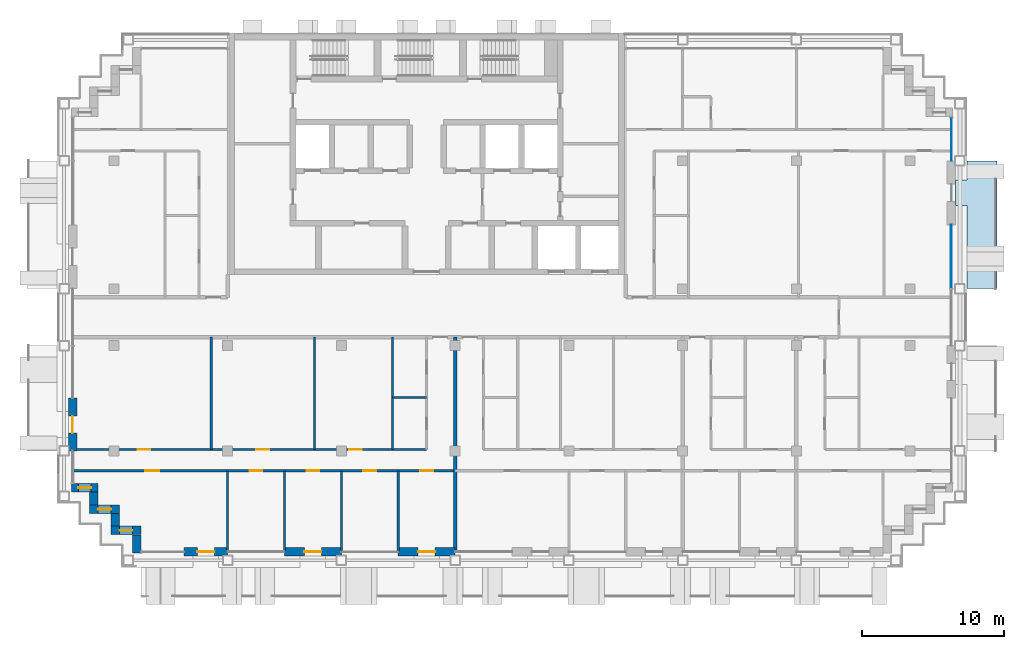
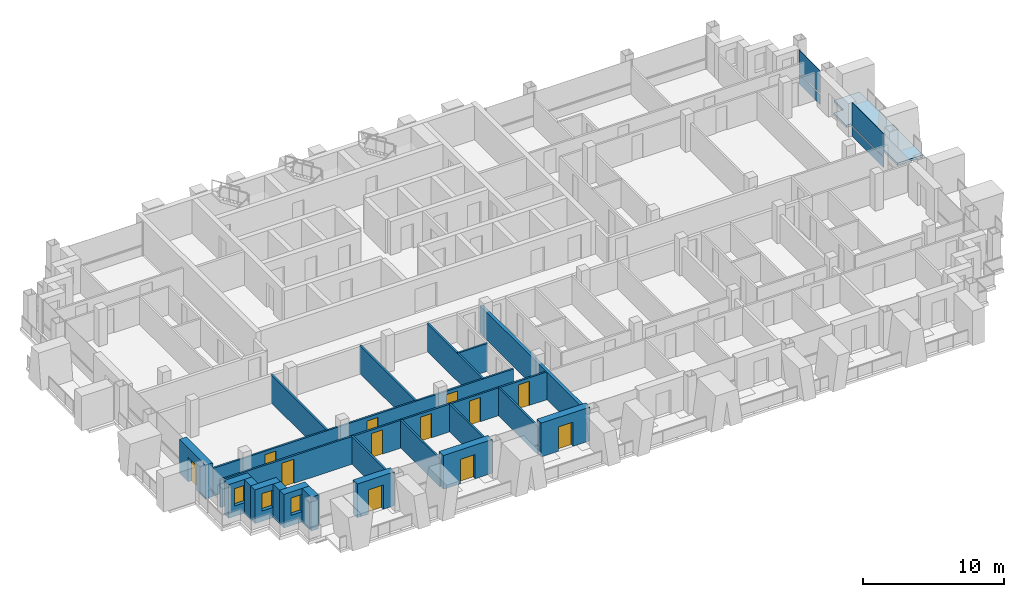
# One storey, part 7 of 16: 21 walls, 12 doors, 4 plates, 3 windows, 1 slab, 15 openings, 2 elements without a shape of their own.
"""IFC4 building model written with IfcOpenShell, lengths in metres."""

from ifc_helpers import new_model, si_unit, direction, frame, frame_2d, origin, origin_2d, place, context, subcontext, project, spatial, polyline, rectangle, outline, extrude, material, layer, layer_set, type_object, element, fill, aggregate, save


model = new_model("IFC4")

# Units and contexts
model_context = context("Model", 3, precision=1e-05, world=origin(), true_north=direction((0.0, 1.0)))
body_context = subcontext(model_context, "Body", "Model", "MODEL_VIEW")
ifc_project = project(units=[si_unit("LENGTHUNIT", "METRE"), si_unit("AREAUNIT", "SQUARE_METRE"), si_unit("VOLUMEUNIT", "CUBIC_METRE"), si_unit("PLANEANGLEUNIT", "RADIAN"), si_unit("MASSUNIT", "GRAM", prefix="KILO")], contexts=[model_context])

# Site, building, storey
site_placement = place(None, origin())
site = spatial("IfcSite", under=ifc_project, at=site_placement, CompositionType="ELEMENT")
building_placement = place(site_placement, origin())
building = spatial("IfcBuilding", under=site, at=building_placement, Name="Vidyagriha Tower", CompositionType="ELEMENT")
storey_placement = place(building_placement, frame((0.0, 0.0, 174.89990234375)))
storey = spatial("IfcBuildingStorey", under=building, at=storey_placement, Name="L45", CompositionType="ELEMENT", Elevation=174.89990234375)

# Curtain wall, plate
ifc_material_1 = material(Name="Aluminium and glass curtain wall", Category="aluminium")
curtain_wall_type = type_object("IfcCurtainWallType", Name="Dwelling skin unitised curtain wall", PredefinedType="USERDEFINED", material=ifc_material_1)
curtain_wall_1_placement = place(storey_placement, origin())
curtain_wall_1 = element("IfcCurtainWall", 1, at=curtain_wall_1_placement, inside=storey, type_object=curtain_wall_type, Name="CW1 dwelling skin", ObjectType="UNITISED", PredefinedType="USERDEFINED")
ifc_material_2 = material(Name="Glass dark ceramic-fritted spandrel", Category="glass")
ifc_layer_1 = layer(ifc_material_2, 0.0400390625)
ifc_layer_set_1 = layer_set([ifc_layer_1], Name="Glass dark ceramic-fritted spandrel")
plate_type_1 = type_object("IfcPlateType", Name="Ceramic-fritted spandrel panel", PredefinedType="CURTAIN_PANEL", material=ifc_layer_set_1)
plate_1_placement = place(storey_placement, frame((36.89990234375, 12.514892578125, 0.0), z_axis=(0.0, 0.0, 1.0), x_axis=(0.0, 1.0, 0.0)))
plate_1 = element("IfcPlate", 2, at=plate_1_placement, type_object=plate_type_1, Name="CW1 panel 1.1", PredefinedType="CURTAIN_PANEL", context=body_context, shape_type="SweptSolid", body=[
    extrude(rectangle(XDim=3.030029296875, YDim=0.0400390625, at=origin_2d()), origin(), (0.0, 0.0, 1.0), 0.85009765625),
])

curtain_wall_2_placement = place(storey_placement, origin())
curtain_wall_2 = element("IfcCurtainWall", 3, at=curtain_wall_2_placement, inside=storey, type_object=curtain_wall_type, Name="CW1 dwelling skin", ObjectType="UNITISED", PredefinedType="USERDEFINED")
ifc_material_3 = material(Name="Glass dark ceramic-fritted", Category="glass")
ifc_layer_2 = layer(ifc_material_3, 0.028076171875)
ifc_layer_set_2 = layer_set([ifc_layer_2], Name="Glass dark ceramic-fritted")
plate_type_2 = type_object("IfcPlateType", Name="Dark ceramic-fritted vision glass panel", PredefinedType="CURTAIN_PANEL", material=ifc_layer_set_2)
plate_2_placement = place(storey_placement, frame((36.89990234375, 4.267578125, 0.9501953125), z_axis=(0.0, 0.0, 1.0), x_axis=(0.0, 1.0, 0.0)))
plate_2 = element("IfcPlate", 4, at=plate_2_placement, type_object=plate_type_2, Name="CW1 panel 2.2", PredefinedType="CURTAIN_PANEL", context=body_context, shape_type="SweptSolid", body=[
    extrude(rectangle(XDim=4.465087890625, YDim=0.028076171875, at=origin_2d()), origin(), (0.0, 0.0, 1.0), 1.969970703125),
])

# Plate
plate_3_placement = place(storey_placement, frame((36.89990234375, 12.514892578125, 0.9501953125), z_axis=(0.0, 0.0, 1.0), x_axis=(0.0, 1.0, 0.0)))
plate_3 = element("IfcPlate", 5, at=plate_3_placement, type_object=plate_type_2, Name="CW1 panel 1.2", PredefinedType="CURTAIN_PANEL", context=body_context, shape_type="SweptSolid", body=[
    extrude(rectangle(XDim=3.030029296875, YDim=0.028076171875, at=origin_2d()), origin(), (0.0, 0.0, 1.0), 1.969970703125),
])

aggregate(curtain_wall_1, [plate_1, plate_3])

ifc_material_4 = material(Name="Aluminium black anodised", Category="aluminium")
ifc_layer_3 = layer(ifc_material_4, 0.06005859375)
ifc_layer_set_3 = layer_set([ifc_layer_3], Name="Aluminium black anodised")
plate_type_3 = type_object("IfcPlateType", Name="Operable black-metal vent panel", PredefinedType="CURTAIN_PANEL", material=ifc_layer_set_3)
plate_4_placement = place(storey_placement, frame((36.89990234375, 4.267578125, 0.0), z_axis=(0.0, 0.0, 1.0), x_axis=(0.0, 1.0, 0.0)))
plate_4 = element("IfcPlate", 6, at=plate_4_placement, type_object=plate_type_3, Name="CW1 panel 2.1", PredefinedType="CURTAIN_PANEL", context=body_context, shape_type="SweptSolid", body=[
    extrude(rectangle(XDim=4.465087890625, YDim=0.06005859375, at=origin_2d()), origin(), (0.0, 0.0, 1.0), 0.85009765625),
])

aggregate(curtain_wall_2, [plate_4, plate_2])

# Slab
ifc_material_5 = material(Name="Precast concrete C40/50", Category="concrete")
ifc_layer_4 = layer(ifc_material_5, 0.199951171875)
ifc_layer_set_4 = layer_set([ifc_layer_4], Name="Precast concrete C40/50")
slab_type = type_object("IfcSlabType", Name="Precast balcony slab 200", PredefinedType="USERDEFINED", material=ifc_layer_set_4)
slab_placement = place(storey_placement, frame((0.0, 0.0, -0.199951171875)))
element("IfcSlab", 7, at=slab_placement, inside=storey, type_object=slab_type, Name="Balcony slab L45 R30.2-2", ObjectType="BALCONY", PredefinedType="USERDEFINED", context=body_context, shape_type="SweptSolid", body=[
    extrude(outline(polyline([(38.0, 7.85009765625), (38.0, 2.0), (40.10009765625, 2.0), (40.10009765625, 11.0), (38.0, 11.0), (38.0, 9.64990234375), (37.199951171875, 9.64990234375), (37.199951171875, 7.85009765625), (38.0, 7.85009765625)])), origin(), (0.0, 0.0, 1.0), 0.199951171875),
])

# Wall, opening, door
ifc_material_6 = material(Name="Precast concrete C40/50 with brick facing", Category="concrete")
ifc_layer_5 = layer(ifc_material_6, 0.60009765625)
ifc_layer_set_5 = layer_set([ifc_layer_5], Name="Precast concrete C40/50 with brick facing")
wall_type_1 = type_object("IfcWallType", Name="Brick-faced precast wall 600", PredefinedType="STANDARD", material=ifc_layer_set_5)
wall_1_placement = place(storey_placement, frame((-24.89990234375, -5.699951171875, 0.0), z_axis=(0.0, 0.0, 1.0), x_axis=(0.0, -1.0, 0.0)))
wall_1 = element("IfcWall", 8, at=wall_1_placement, inside=storey, type_object=wall_type_1, Name="Brick door bay wall L45 R16.6", PredefinedType="STANDARD", context=body_context, shape_type="SweptSolid", body=[
    extrude(rectangle(XDim=3.699951171875, YDim=0.60009765625, at=frame_2d((1.85009765625, 0.0))), origin(), (0.0, 0.0, 1.0), 2.920166015625),
])
opening_1_placement = place(wall_1_placement, frame((1.25, 0.0, 0.0)))
opening_1 = element("IfcOpeningElement", 9, at=opening_1_placement, cuts=wall_1, Name="Opening D45-68", PredefinedType="OPENING", context=body_context, shape_type="SweptSolid", body=[
    extrude(rectangle(XDim=1.199951171875, YDim=2.10009765625, at=frame_2d((0.60009765625, 1.050048828125))), frame((0.0, 0.31005859375, 0.0), z_axis=(0.0, -1.0, 0.0), x_axis=(1.0, 0.0, 0.0)), (0.0, 0.0, 1.0), 0.6201171875),
])
ifc_material_7 = material(Name="Aluminium framed glazed sliding door", Category="aluminium")
door_type_1 = type_object("IfcDoorType", Name="Balcony sliding door 1200x2100", OperationType="NOTDEFINED", PredefinedType="DOOR", material=ifc_material_7)
door_1_placement = place(opening_1_placement, origin())
door_1 = element("IfcDoor", 10, at=door_1_placement, inside=storey, type_object=door_type_1, Name="Door D45-68", OperationType="SLIDING_TO_LEFT", OverallHeight=2.10009765625, OverallWidth=1.199951171875, PredefinedType="DOOR", context=body_context, shape_type="SweptSolid", body=[
    extrude(rectangle(XDim=1.199951171875, YDim=2.10009765625, at=frame_2d((0.60009765625, 1.050048828125))), frame((0.0, 0.02490234375, 0.0), z_axis=(0.0, -1.0, 0.0), x_axis=(1.0, 0.0, 0.0)), (0.0, 0.0, 1.0), 0.050048828125),
])
fill(opening_1, door_1)

# Wall, opening, window
wall_2_placement = place(storey_placement, frame((-24.97998046875, -12.0, 0.0)))
wall_2 = element("IfcWall", 11, at=wall_2_placement, inside=storey, type_object=wall_type_1, Name="Stepped corner wall L45 R17", PredefinedType="STANDARD", context=body_context, shape_type="SweptSolid", body=[
    extrude(rectangle(XDim=1.8798828125, YDim=0.60009765625, at=frame_2d((0.93994140625, 0.0))), origin(), (0.0, 0.0, 1.0), 2.920166015625),
])
opening_2_placement = place(wall_2_placement, frame((0.489990234375, 0.0, 0.89990234375)))
opening_2 = element("IfcOpeningElement", 12, at=opening_2_placement, cuts=wall_2, Name="Opening WN1", PredefinedType="OPENING", context=body_context, shape_type="SweptSolid", body=[
    extrude(rectangle(XDim=0.89990234375, YDim=1.5, at=frame_2d((0.449951171875, 0.75))), frame((0.0, 0.31005859375, 0.0), z_axis=(0.0, -1.0, 0.0), x_axis=(1.0, 0.0, 0.0)), (0.0, 0.0, 1.0), 0.6201171875),
])
ifc_material_8 = material(Name="Aluminium and glass window", Category="aluminium")
window_type = type_object("IfcWindowType", Name="Reveal window 900x1500", PartitioningType="NOTDEFINED", PredefinedType="WINDOW", material=ifc_material_8)
window_1_placement = place(opening_2_placement, origin())
window_1 = element("IfcWindow", 13, at=window_1_placement, inside=storey, type_object=window_type, Name="Reveal window L45 R17", OverallHeight=1.5, OverallWidth=0.89990234375, PartitioningType="SINGLE_PANEL", PredefinedType="WINDOW", context=body_context, shape_type="SweptSolid", body=[
    extrude(rectangle(XDim=0.89990234375, YDim=1.5, at=frame_2d((0.449951171875, 0.75))), frame((0.0, 0.030029296875, 0.0), z_axis=(0.0, -1.0, 0.0), x_axis=(1.0, 0.0, 0.0)), (0.0, 0.0, 1.0), 0.06005859375),
])
fill(opening_2, window_1)

# Wall
wall_3_placement = place(storey_placement, frame((-23.39990234375, -12.300048828125, 0.0), z_axis=(0.0, 0.0, 1.0), x_axis=(0.0, -1.0, 0.0)))
element("IfcWall", 14, at=wall_3_placement, inside=storey, type_object=wall_type_1, Name="Stepped corner wall L45 R18", PredefinedType="STANDARD", context=body_context, shape_type="SweptSolid", body=[
    extrude(rectangle(XDim=0.89990234375, YDim=0.60009765625, at=frame_2d((0.449951171875, 0.0))), origin(), (0.0, 0.0, 1.0), 2.920166015625),
])

# Wall, opening, window
wall_4_placement = place(storey_placement, frame((-23.699951171875, -13.5, 0.0)))
wall_4 = element("IfcWall", 15, at=wall_4_placement, inside=storey, type_object=wall_type_1, Name="Stepped corner wall L45 R19", PredefinedType="STANDARD", context=body_context, shape_type="SweptSolid", body=[
    extrude(rectangle(XDim=2.099853515625, YDim=0.60009765625, at=frame_2d((1.0498046875, 0.0))), origin(), (0.0, 0.0, 1.0), 2.920166015625),
])
opening_3_placement = place(wall_4_placement, frame((0.60009765625, 0.0, 0.89990234375)))
opening_3 = element("IfcOpeningElement", 16, at=opening_3_placement, cuts=wall_4, Name="Opening WN1", PredefinedType="OPENING", context=body_context, shape_type="SweptSolid", body=[
    extrude(rectangle(XDim=0.89990234375, YDim=1.5, at=frame_2d((0.449951171875, 0.75))), frame((0.0, 0.31005859375, 0.0), z_axis=(0.0, -1.0, 0.0), x_axis=(1.0, 0.0, 0.0)), (0.0, 0.0, 1.0), 0.6201171875),
])
window_2_placement = place(opening_3_placement, origin())
window_2 = element("IfcWindow", 17, at=window_2_placement, inside=storey, type_object=window_type, Name="Reveal window L45 R19", OverallHeight=1.5, OverallWidth=0.89990234375, PartitioningType="SINGLE_PANEL", PredefinedType="WINDOW", context=body_context, shape_type="SweptSolid", body=[
    extrude(rectangle(XDim=0.89990234375, YDim=1.5, at=frame_2d((0.449951171875, 0.75))), frame((0.0, 0.030029296875, 0.0), z_axis=(0.0, -1.0, 0.0), x_axis=(1.0, 0.0, 0.0)), (0.0, 0.0, 1.0), 0.06005859375),
])
fill(opening_3, window_2)

# Wall
wall_5_placement = place(storey_placement, frame((-21.89990234375, -13.800048828125, 0.0), z_axis=(0.0, 0.0, 1.0), x_axis=(0.0, -1.0, 0.0)))
element("IfcWall", 18, at=wall_5_placement, inside=storey, type_object=wall_type_1, Name="Stepped corner wall L45 R20", PredefinedType="STANDARD", context=body_context, shape_type="SweptSolid", body=[
    extrude(rectangle(XDim=0.89990234375, YDim=0.60009765625, at=frame_2d((0.449951171875, 0.0))), origin(), (0.0, 0.0, 1.0), 2.920166015625),
])

# Wall, opening, window
wall_6_placement = place(storey_placement, frame((-22.199951171875, -15.0, 0.0)))
wall_6 = element("IfcWall", 19, at=wall_6_placement, inside=storey, type_object=wall_type_1, Name="Stepped corner wall L45 R21", PredefinedType="STANDARD", context=body_context, shape_type="SweptSolid", body=[
    extrude(rectangle(XDim=2.099853515625, YDim=0.60009765625, at=frame_2d((1.0498046875, 0.0))), origin(), (0.0, 0.0, 1.0), 2.920166015625),
])
opening_4_placement = place(wall_6_placement, frame((0.60009765625, 0.0, 0.89990234375)))
opening_4 = element("IfcOpeningElement", 20, at=opening_4_placement, cuts=wall_6, Name="Opening WN1", PredefinedType="OPENING", context=body_context, shape_type="SweptSolid", body=[
    extrude(rectangle(XDim=0.89990234375, YDim=1.5, at=frame_2d((0.449951171875, 0.75))), frame((0.0, 0.31005859375, 0.0), z_axis=(0.0, -1.0, 0.0), x_axis=(1.0, 0.0, 0.0)), (0.0, 0.0, 1.0), 0.6201171875),
])
window_3_placement = place(opening_4_placement, origin())
window_3 = element("IfcWindow", 21, at=window_3_placement, inside=storey, type_object=window_type, Name="Reveal window L45 R21", OverallHeight=1.5, OverallWidth=0.89990234375, PartitioningType="SINGLE_PANEL", PredefinedType="WINDOW", context=body_context, shape_type="SweptSolid", body=[
    extrude(rectangle(XDim=0.89990234375, YDim=1.5, at=frame_2d((0.449951171875, 0.75))), frame((0.0, 0.030029296875, 0.0), z_axis=(0.0, -1.0, 0.0), x_axis=(1.0, 0.0, 0.0)), (0.0, 0.0, 1.0), 0.06005859375),
])
fill(opening_4, window_3)

# Wall
wall_7_placement = place(storey_placement, frame((-20.39990234375, -15.300048828125, 0.0), z_axis=(0.0, 0.0, 1.0), x_axis=(0.0, -1.0, 0.0)))
element("IfcWall", 22, at=wall_7_placement, inside=storey, type_object=wall_type_1, Name="Stepped corner wall L45 R22", PredefinedType="STANDARD", context=body_context, shape_type="SweptSolid", body=[
    extrude(rectangle(XDim=1.280029296875, YDim=0.60009765625, at=frame_2d((0.64013671875, 0.0))), origin(), (0.0, 0.0, 1.0), 2.920166015625),
])

# Wall, opening, door
wall_8_placement = place(storey_placement, frame((-17.050048828125, -16.5, 0.0)))
wall_8 = element("IfcWall", 23, at=wall_8_placement, inside=storey, type_object=wall_type_1, Name="Brick door bay wall L45 R23.2", PredefinedType="STANDARD", context=body_context, shape_type="SweptSolid", body=[
    extrude(rectangle(XDim=3.050048828125, YDim=0.60009765625, at=frame_2d((1.52490234375, 0.0))), origin(), (0.0, 0.0, 1.0), 2.920166015625),
])
opening_5_placement = place(wall_8_placement, frame((0.925048828125, 0.0, 0.0)))
opening_5 = element("IfcOpeningElement", 24, at=opening_5_placement, cuts=wall_8, Name="Opening D45-69", PredefinedType="OPENING", context=body_context, shape_type="SweptSolid", body=[
    extrude(rectangle(XDim=1.199951171875, YDim=2.10009765625, at=frame_2d((0.60009765625, 1.050048828125))), frame((0.0, 0.31005859375, 0.0), z_axis=(0.0, -1.0, 0.0), x_axis=(1.0, 0.0, 0.0)), (0.0, 0.0, 1.0), 0.6201171875),
])
door_2_placement = place(opening_5_placement, origin())
door_2 = element("IfcDoor", 25, at=door_2_placement, inside=storey, type_object=door_type_1, Name="Door D45-69", OperationType="SLIDING_TO_LEFT", OverallHeight=2.10009765625, OverallWidth=1.199951171875, PredefinedType="DOOR", context=body_context, shape_type="SweptSolid", body=[
    extrude(rectangle(XDim=1.199951171875, YDim=2.10009765625, at=frame_2d((0.60009765625, 1.050048828125))), frame((0.0, 0.02490234375, 0.0), z_axis=(0.0, -1.0, 0.0), x_axis=(1.0, 0.0, 0.0)), (0.0, 0.0, 1.0), 0.050048828125),
])
fill(opening_5, door_2)

wall_9_placement = place(storey_placement, frame((-10.0, -16.5, 0.0)))
wall_9 = element("IfcWall", 26, at=wall_9_placement, inside=storey, type_object=wall_type_1, Name="Brick door bay wall L45 R23.4", PredefinedType="STANDARD", context=body_context, shape_type="SweptSolid", body=[
    extrude(rectangle(XDim=4.0, YDim=0.60009765625, at=frame_2d((2.0, 0.0))), origin(), (0.0, 0.0, 1.0), 2.920166015625),
])
opening_6_placement = place(wall_9_placement, frame((1.39990234375, 0.0, 0.0)))
opening_6 = element("IfcOpeningElement", 27, at=opening_6_placement, cuts=wall_9, Name="Opening D45-70", PredefinedType="OPENING", context=body_context, shape_type="SweptSolid", body=[
    extrude(rectangle(XDim=1.199951171875, YDim=2.10009765625, at=frame_2d((0.60009765625, 1.050048828125))), frame((0.0, 0.31005859375, 0.0), z_axis=(0.0, -1.0, 0.0), x_axis=(1.0, 0.0, 0.0)), (0.0, 0.0, 1.0), 0.6201171875),
])
door_3_placement = place(opening_6_placement, origin())
door_3 = element("IfcDoor", 28, at=door_3_placement, inside=storey, type_object=door_type_1, Name="Door D45-70", OperationType="SLIDING_TO_LEFT", OverallHeight=2.10009765625, OverallWidth=1.199951171875, PredefinedType="DOOR", context=body_context, shape_type="SweptSolid", body=[
    extrude(rectangle(XDim=1.199951171875, YDim=2.10009765625, at=frame_2d((0.60009765625, 1.050048828125))), frame((0.0, 0.02490234375, 0.0), z_axis=(0.0, -1.0, 0.0), x_axis=(1.0, 0.0, 0.0)), (0.0, 0.0, 1.0), 0.050048828125),
])
fill(opening_6, door_3)

wall_10_placement = place(storey_placement, frame((-2.0, -16.5, 0.0)))
wall_10 = element("IfcWall", 29, at=wall_10_placement, inside=storey, type_object=wall_type_1, Name="Brick door bay wall L45 R23.6", PredefinedType="STANDARD", context=body_context, shape_type="SweptSolid", body=[
    extrude(rectangle(XDim=4.0, YDim=0.60009765625, at=frame_2d((2.0, 0.0))), origin(), (0.0, 0.0, 1.0), 2.920166015625),
])
opening_7_placement = place(wall_10_placement, frame((1.39990234375, 0.0, 0.0)))
opening_7 = element("IfcOpeningElement", 30, at=opening_7_placement, cuts=wall_10, Name="Opening D45-71", PredefinedType="OPENING", context=body_context, shape_type="SweptSolid", body=[
    extrude(rectangle(XDim=1.199951171875, YDim=2.10009765625, at=frame_2d((0.60009765625, 1.050048828125))), frame((0.0, 0.31005859375, 0.0), z_axis=(0.0, -1.0, 0.0), x_axis=(1.0, 0.0, 0.0)), (0.0, 0.0, 1.0), 0.6201171875),
])
door_4_placement = place(opening_7_placement, origin())
door_4 = element("IfcDoor", 31, at=door_4_placement, inside=storey, type_object=door_type_1, Name="Door D45-71", OperationType="SLIDING_TO_LEFT", OverallHeight=2.10009765625, OverallWidth=1.199951171875, PredefinedType="DOOR", context=body_context, shape_type="SweptSolid", body=[
    extrude(rectangle(XDim=1.199951171875, YDim=2.10009765625, at=frame_2d((0.60009765625, 1.050048828125))), frame((0.0, 0.02490234375, 0.0), z_axis=(0.0, -1.0, 0.0), x_axis=(1.0, 0.0, 0.0)), (0.0, 0.0, 1.0), 0.050048828125),
])
fill(opening_7, door_4)

# Walls
ifc_material_9 = material(Name="Fired clay brick masonry", Category="masonry")
ifc_layer_6 = layer(ifc_material_9, 0.25)
ifc_layer_set_6 = layer_set([ifc_layer_6], Name="Fired clay brick masonry")
wall_type_2 = type_object("IfcWallType", Name="Fired clay brick demising wall 250", PredefinedType="PARTITIONING", material=ifc_layer_set_6)
wall_11_placement = place(storey_placement, frame((2.0, -1.39990234375, 0.0), z_axis=(0.0, 0.0, 1.0), x_axis=(0.0, -1.0, 0.0)))
element("IfcWall", 32, at=wall_11_placement, inside=storey, type_object=wall_type_2, Name="Wall all-L45-w041", PredefinedType="PARTITIONING", context=body_context, shape_type="SweptSolid", body=[
    extrude(rectangle(XDim=15.010009765625, YDim=0.25, at=frame_2d((7.5048828125, 0.0))), origin(), (0.0, 0.0, 1.0), 2.400146484375),
])
ifc_material_10 = material(Name="Gypsum board partition")
ifc_layer_7 = layer(ifc_material_10, 0.14990234375)
ifc_layer_set_7 = layer_set([ifc_layer_7], Name="Gypsum board partition")
wall_type_3 = type_object("IfcWallType", Name="Gypsum board partition 150", PredefinedType="PARTITIONING", material=ifc_layer_set_7)
wall_12_placement = place(storey_placement, frame((0.0, -5.64990234375, 0.0), z_axis=(0.0, 0.0, 1.0), x_axis=(-1.0, 0.0, 0.0)))
element("IfcWall", 33, at=wall_12_placement, inside=storey, type_object=wall_type_3, Name="Wall all-L45-w004", PredefinedType="PARTITIONING", context=body_context, shape_type="SweptSolid", body=[
    extrude(rectangle(XDim=2.39990234375, YDim=0.14990234375, at=frame_2d((1.199951171875, 0.0))), origin(), (0.0, 0.0, 1.0), 2.400146484375),
])
for number, where, z_axis, x_axis, name in (
    (34, (-2.39990234375, -9.300048828125, 0.0), (0.0, 0.0, 1.0), (0.0, 1.0, 0.0), "Wall all-L45-w005"),
    (35, (-7.89990234375, -9.300048828125, 0.0), (0.0, 0.0, 1.0), (0.0, 1.0, 0.0), "Wall all-L45-w006"),
    (36, (-15.14990234375, -9.300048828125, 0.0), (0.0, 0.0, 1.0), (0.0, 1.0, 0.0), "Wall all-L45-w007"),
):
    element("IfcWall", number, at=place(storey_placement, frame(where, z_axis=z_axis, x_axis=x_axis)), inside=storey, type_object=wall_type_3, Name=name, PredefinedType="PARTITIONING", context=body_context, shape_type="SweptSolid", body=[
        extrude(rectangle(XDim=7.900146484375, YDim=0.14990234375, at=frame_2d((3.9501953125, 0.0))), origin(), (0.0, 0.0, 1.0), 2.400146484375),
    ])

# Wall, openings, doors
wall_13_placement = place(storey_placement, frame((-24.81005859375, -9.300048828125, 0.0)))
wall_13 = element("IfcWall", 37, at=wall_13_placement, inside=storey, type_object=wall_type_3, Name="Wall all-L45-w008", PredefinedType="PARTITIONING", context=body_context, shape_type="SweptSolid", body=[
    extrude(rectangle(XDim=24.81005859375, YDim=0.14990234375, at=frame_2d((12.405029296875, 0.0))), origin(), (0.0, 0.0, 1.0), 2.400146484375),
])
opening_8_placement = place(wall_13_placement, frame((19.35693359375, 0.0, 0.0)))
opening_8 = element("IfcOpeningElement", 38, at=opening_8_placement, cuts=wall_13, Name="Opening D45-19", PredefinedType="OPENING", context=body_context, shape_type="SweptSolid", body=[
    extrude(rectangle(XDim=0.89990234375, YDim=2.10009765625, at=frame_2d((0.449951171875, 1.050048828125))), frame((0.0, 0.0849609375, 0.0), z_axis=(0.0, -1.0, 0.0), x_axis=(1.0, 0.0, 0.0)), (0.0, 0.0, 1.0), 0.169921875),
])
opening_9_placement = place(wall_13_placement, frame((12.8349609375, 0.0, 0.0)))
opening_9 = element("IfcOpeningElement", 39, at=opening_9_placement, cuts=wall_13, Name="Opening D45-20", PredefinedType="OPENING", context=body_context, shape_type="SweptSolid", body=[
    extrude(rectangle(XDim=0.89990234375, YDim=2.10009765625, at=frame_2d((0.449951171875, 1.050048828125))), frame((0.0, 0.0849609375, 0.0), z_axis=(0.0, -1.0, 0.0), x_axis=(1.0, 0.0, 0.0)), (0.0, 0.0, 1.0), 0.169921875),
])
opening_10_placement = place(wall_13_placement, frame((4.485107421875, 0.0, 0.0)))
opening_10 = element("IfcOpeningElement", 40, at=opening_10_placement, cuts=wall_13, Name="Opening D45-21", PredefinedType="OPENING", context=body_context, shape_type="SweptSolid", body=[
    extrude(rectangle(XDim=0.89990234375, YDim=2.10009765625, at=frame_2d((0.449951171875, 1.050048828125))), frame((0.0, 0.0849609375, 0.0), z_axis=(0.0, -1.0, 0.0), x_axis=(1.0, 0.0, 0.0)), (0.0, 0.0, 1.0), 0.169921875),
])
ifc_material_11 = material(Name="Timber door leaf", Category="wood")
door_type_2 = type_object("IfcDoorType", Name="Room door 900x2100", OperationType="NOTDEFINED", PredefinedType="DOOR", material=ifc_material_11)
door_5_placement = place(opening_8_placement, origin())
door_5 = element("IfcDoor", 41, at=door_5_placement, inside=storey, type_object=door_type_2, Name="Door D45-19", OperationType="SINGLE_SWING_RIGHT", OverallHeight=2.10009765625, OverallWidth=0.89990234375, PredefinedType="DOOR", context=body_context, shape_type="SweptSolid", body=[
    extrude(rectangle(XDim=0.89990234375, YDim=2.10009765625, at=frame_2d((0.449951171875, 1.050048828125))), frame((0.0, 0.02490234375, 0.0), z_axis=(0.0, -1.0, 0.0), x_axis=(1.0, 0.0, 0.0)), (0.0, 0.0, 1.0), 0.050048828125),
])
fill(opening_8, door_5)
door_6_placement = place(opening_9_placement, origin())
door_6 = element("IfcDoor", 42, at=door_6_placement, inside=storey, type_object=door_type_2, Name="Door D45-20", OperationType="SINGLE_SWING_RIGHT", OverallHeight=2.10009765625, OverallWidth=0.89990234375, PredefinedType="DOOR", context=body_context, shape_type="SweptSolid", body=[
    extrude(rectangle(XDim=0.89990234375, YDim=2.10009765625, at=frame_2d((0.449951171875, 1.050048828125))), frame((0.0, 0.02490234375, 0.0), z_axis=(0.0, -1.0, 0.0), x_axis=(1.0, 0.0, 0.0)), (0.0, 0.0, 1.0), 0.050048828125),
])
fill(opening_9, door_6)
door_7_placement = place(opening_10_placement, origin())
door_7 = element("IfcDoor", 43, at=door_7_placement, inside=storey, type_object=door_type_2, Name="Door D45-21", OperationType="SINGLE_SWING_RIGHT", OverallHeight=2.10009765625, OverallWidth=0.89990234375, PredefinedType="DOOR", context=body_context, shape_type="SweptSolid", body=[
    extrude(rectangle(XDim=0.89990234375, YDim=2.10009765625, at=frame_2d((0.449951171875, 1.050048828125))), frame((0.0, 0.02490234375, 0.0), z_axis=(0.0, -1.0, 0.0), x_axis=(1.0, 0.0, 0.0)), (0.0, 0.0, 1.0), 0.050048828125),
])
fill(opening_10, door_7)

wall_14_placement = place(storey_placement, frame((2.0, -10.800048828125, 0.0), z_axis=(0.0, 0.0, 1.0), x_axis=(-1.0, 0.0, 0.0)))
wall_14 = element("IfcWall", 44, at=wall_14_placement, inside=storey, type_object=wall_type_3, Name="Wall all-L45-w012", PredefinedType="PARTITIONING", context=body_context, shape_type="SweptSolid", body=[
    extrude(rectangle(XDim=26.820068359375, YDim=0.14990234375, at=frame_2d((13.41015625, 0.0))), origin(), (0.0, 0.0, 1.0), 2.400146484375),
])
opening_11_placement = place(wall_14_placement, frame((20.800048828125, 0.0, 0.0)))
opening_11 = element("IfcOpeningElement", 45, at=opening_11_placement, cuts=wall_14, Name="Opening D45-22", PredefinedType="OPENING", context=body_context, shape_type="SweptSolid", body=[
    extrude(rectangle(XDim=1.0, YDim=2.10009765625, at=frame_2d((0.5, 1.050048828125))), frame((0.0, 0.0849609375, 0.0), z_axis=(0.0, -1.0, 0.0), x_axis=(1.0, 0.0, 0.0)), (0.0, 0.0, 1.0), 0.169921875),
])
opening_12_placement = place(wall_14_placement, frame((13.550048828125, 0.0, 0.0)))
opening_12 = element("IfcOpeningElement", 46, at=opening_12_placement, cuts=wall_14, Name="Opening D45-23", PredefinedType="OPENING", context=body_context, shape_type="SweptSolid", body=[
    extrude(rectangle(XDim=0.89990234375, YDim=2.10009765625, at=frame_2d((0.449951171875, 1.050048828125))), frame((0.0, 0.0849609375, 0.0), z_axis=(0.0, -1.0, 0.0), x_axis=(1.0, 0.0, 0.0)), (0.0, 0.0, 1.0), 0.169921875),
])
opening_13_placement = place(wall_14_placement, frame((9.550048828125, 0.0, 0.0)))
opening_13 = element("IfcOpeningElement", 47, at=opening_13_placement, cuts=wall_14, Name="Opening D45-24", PredefinedType="OPENING", context=body_context, shape_type="SweptSolid", body=[
    extrude(rectangle(XDim=0.89990234375, YDim=2.10009765625, at=frame_2d((0.449951171875, 1.050048828125))), frame((0.0, 0.0849609375, 0.0), z_axis=(0.0, -1.0, 0.0), x_axis=(1.0, 0.0, 0.0)), (0.0, 0.0, 1.0), 0.169921875),
])
opening_14_placement = place(wall_14_placement, frame((5.550048828125, 0.0, 0.0)))
opening_14 = element("IfcOpeningElement", 48, at=opening_14_placement, cuts=wall_14, Name="Opening D45-25", PredefinedType="OPENING", context=body_context, shape_type="SweptSolid", body=[
    extrude(rectangle(XDim=0.89990234375, YDim=2.10009765625, at=frame_2d((0.449951171875, 1.050048828125))), frame((0.0, 0.0849609375, 0.0), z_axis=(0.0, -1.0, 0.0), x_axis=(1.0, 0.0, 0.0)), (0.0, 0.0, 1.0), 0.169921875),
])
opening_15_placement = place(wall_14_placement, frame((1.550048828125, 0.0, 0.0)))
opening_15 = element("IfcOpeningElement", 49, at=opening_15_placement, cuts=wall_14, Name="Opening D45-26", PredefinedType="OPENING", context=body_context, shape_type="SweptSolid", body=[
    extrude(rectangle(XDim=0.89990234375, YDim=2.10009765625, at=frame_2d((0.449951171875, 1.050048828125))), frame((0.0, 0.0849609375, 0.0), z_axis=(0.0, -1.0, 0.0), x_axis=(1.0, 0.0, 0.0)), (0.0, 0.0, 1.0), 0.169921875),
])
ifc_material_12 = material(Name="Timber door leaf", Category="wood")
door_type_3 = type_object("IfcDoorType", Name="Room door 1000x2100", OperationType="NOTDEFINED", PredefinedType="DOOR", material=ifc_material_12)
door_8_placement = place(opening_11_placement, origin())
door_8 = element("IfcDoor", 50, at=door_8_placement, inside=storey, type_object=door_type_3, Name="Door D45-22", OperationType="SINGLE_SWING_RIGHT", OverallHeight=2.10009765625, OverallWidth=1.0, PredefinedType="DOOR", context=body_context, shape_type="SweptSolid", body=[
    extrude(rectangle(XDim=1.0, YDim=2.10009765625, at=frame_2d((0.5, 1.050048828125))), frame((0.0, 0.02490234375, 0.0), z_axis=(0.0, -1.0, 0.0), x_axis=(1.0, 0.0, 0.0)), (0.0, 0.0, 1.0), 0.050048828125),
])
fill(opening_11, door_8)
door_9_placement = place(opening_12_placement, origin())
door_9 = element("IfcDoor", 51, at=door_9_placement, inside=storey, type_object=door_type_2, Name="Door D45-23", OperationType="SINGLE_SWING_RIGHT", OverallHeight=2.10009765625, OverallWidth=0.89990234375, PredefinedType="DOOR", context=body_context, shape_type="SweptSolid", body=[
    extrude(rectangle(XDim=0.89990234375, YDim=2.10009765625, at=frame_2d((0.449951171875, 1.050048828125))), frame((0.0, 0.02490234375, 0.0), z_axis=(0.0, -1.0, 0.0), x_axis=(1.0, 0.0, 0.0)), (0.0, 0.0, 1.0), 0.050048828125),
])
fill(opening_12, door_9)
door_10_placement = place(opening_13_placement, origin())
door_10 = element("IfcDoor", 52, at=door_10_placement, inside=storey, type_object=door_type_2, Name="Door D45-24", OperationType="SINGLE_SWING_RIGHT", OverallHeight=2.10009765625, OverallWidth=0.89990234375, PredefinedType="DOOR", context=body_context, shape_type="SweptSolid", body=[
    extrude(rectangle(XDim=0.89990234375, YDim=2.10009765625, at=frame_2d((0.449951171875, 1.050048828125))), frame((0.0, 0.02490234375, 0.0), z_axis=(0.0, -1.0, 0.0), x_axis=(1.0, 0.0, 0.0)), (0.0, 0.0, 1.0), 0.050048828125),
])
fill(opening_13, door_10)
door_11_placement = place(opening_14_placement, origin())
door_11 = element("IfcDoor", 53, at=door_11_placement, inside=storey, type_object=door_type_2, Name="Door D45-25", OperationType="SINGLE_SWING_RIGHT", OverallHeight=2.10009765625, OverallWidth=0.89990234375, PredefinedType="DOOR", context=body_context, shape_type="SweptSolid", body=[
    extrude(rectangle(XDim=0.89990234375, YDim=2.10009765625, at=frame_2d((0.449951171875, 1.050048828125))), frame((0.0, 0.02490234375, 0.0), z_axis=(0.0, -1.0, 0.0), x_axis=(1.0, 0.0, 0.0)), (0.0, 0.0, 1.0), 0.050048828125),
])
fill(opening_14, door_11)
door_12_placement = place(opening_15_placement, origin())
door_12 = element("IfcDoor", 54, at=door_12_placement, inside=storey, type_object=door_type_2, Name="Door D45-26", OperationType="SINGLE_SWING_RIGHT", OverallHeight=2.10009765625, OverallWidth=0.89990234375, PredefinedType="DOOR", context=body_context, shape_type="SweptSolid", body=[
    extrude(rectangle(XDim=0.89990234375, YDim=2.10009765625, at=frame_2d((0.449951171875, 1.050048828125))), frame((0.0, 0.02490234375, 0.0), z_axis=(0.0, -1.0, 0.0), x_axis=(1.0, 0.0, 0.0)), (0.0, 0.0, 1.0), 0.050048828125),
])
fill(opening_15, door_12)

# Walls
wall_15_placement = place(storey_placement, frame((-14.0, -10.800048828125, 0.0), z_axis=(0.0, 0.0, 1.0), x_axis=(0.0, -1.0, 0.0)))
element("IfcWall", 55, at=wall_15_placement, inside=storey, type_object=wall_type_3, Name="Wall all-L45-w018", PredefinedType="PARTITIONING", context=body_context, shape_type="SweptSolid", body=[
    extrude(rectangle(XDim=5.60986328125, YDim=0.14990234375, at=frame_2d((2.804931640625, 0.0))), origin(), (0.0, 0.0, 1.0), 2.400146484375),
])
wall_16_placement = place(storey_placement, frame((-10.0, -10.800048828125, 0.0), z_axis=(0.0, 0.0, 1.0), x_axis=(0.0, -1.0, 0.0)))
element("IfcWall", 56, at=wall_16_placement, inside=storey, type_object=wall_type_3, Name="Wall all-L45-w019", PredefinedType="PARTITIONING", context=body_context, shape_type="SweptSolid", body=[
    extrude(rectangle(XDim=5.620849609375, YDim=0.14990234375, at=frame_2d((2.810546875, 0.0))), origin(), (0.0, 0.0, 1.0), 2.400146484375),
])
wall_17_placement = place(storey_placement, frame((-6.0, -10.800048828125, 0.0), z_axis=(0.0, 0.0, 1.0), x_axis=(0.0, -1.0, 0.0)))
element("IfcWall", 57, at=wall_17_placement, inside=storey, type_object=wall_type_3, Name="Wall all-L45-w020", PredefinedType="PARTITIONING", context=body_context, shape_type="SweptSolid", body=[
    extrude(rectangle(XDim=5.60986328125, YDim=0.14990234375, at=frame_2d((2.804931640625, 0.0))), origin(), (0.0, 0.0, 1.0), 2.400146484375),
])
wall_18_placement = place(storey_placement, frame((-2.0, -10.800048828125, 0.0), z_axis=(0.0, 0.0, 1.0), x_axis=(0.0, -1.0, 0.0)))
element("IfcWall", 58, at=wall_18_placement, inside=storey, type_object=wall_type_3, Name="Wall all-L45-w021", PredefinedType="PARTITIONING", context=body_context, shape_type="SweptSolid", body=[
    extrude(rectangle(XDim=5.620849609375, YDim=0.14990234375, at=frame_2d((2.810546875, 0.0))), origin(), (0.0, 0.0, 1.0), 2.400146484375),
])

save(model, "model.ifc")
